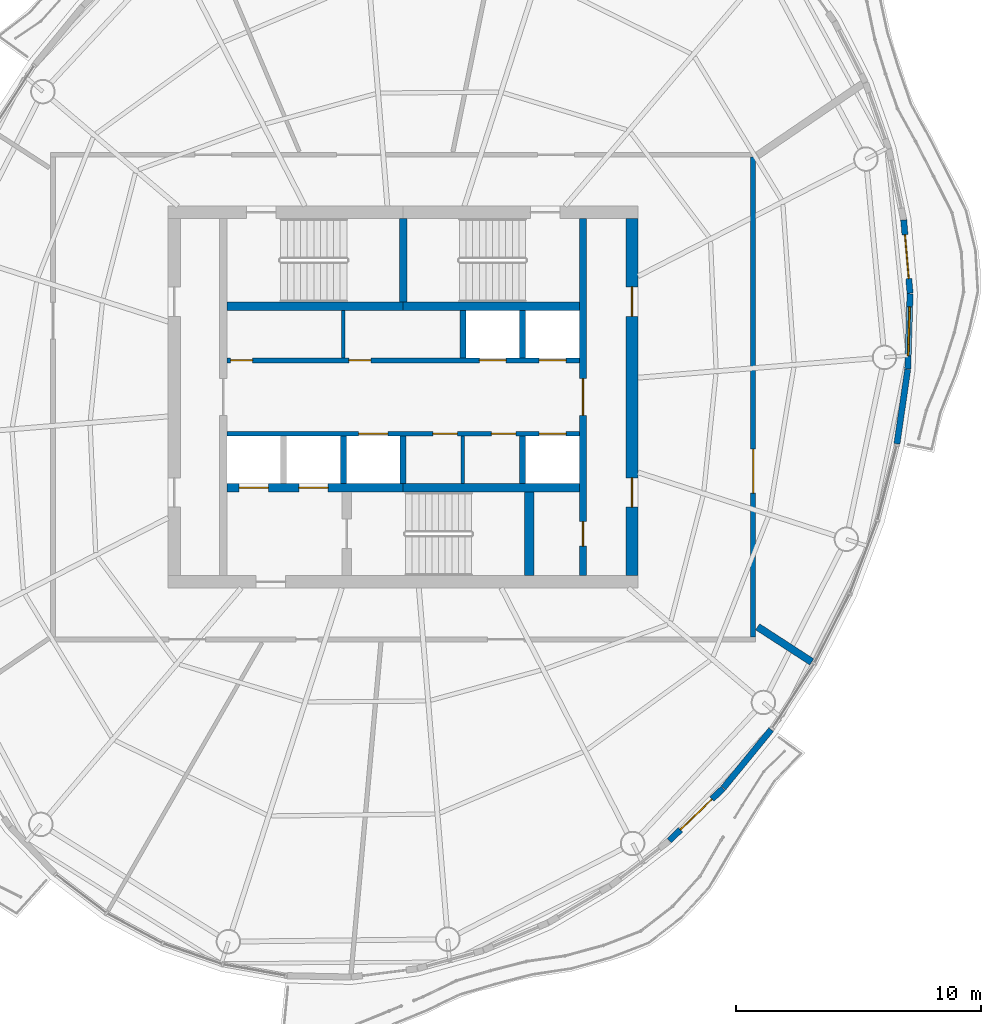
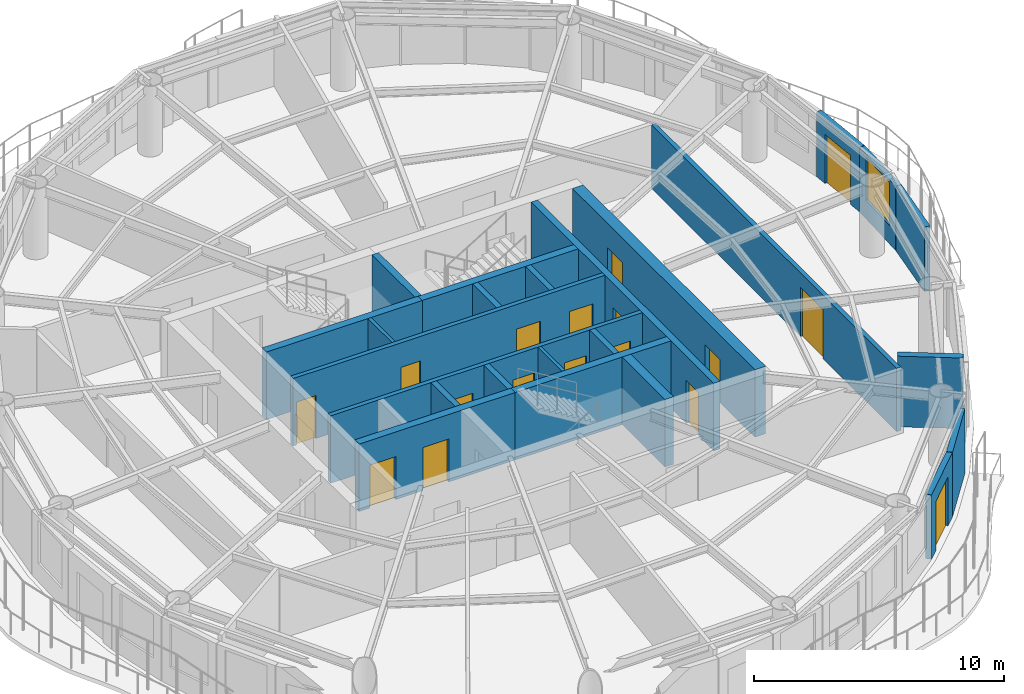
# One storey, part 8 of 13: 24 walls, 17 doors, 1 window, 18 openings.
"""IFC4 building model written with IfcOpenShell, lengths in metres."""

from ifc_helpers import new_model, si_unit, direction, frame, frame_2d, origin, place, context, subcontext, project, spatial, rectangle, extrude, material, layer, layer_set, type_object, element, fill, save


model = new_model("IFC4")

# Units and contexts
model_context = context("Model", 3, precision=1e-05, world=origin(), true_north=direction((0.0, 1.0)))
body_context = subcontext(model_context, "Body", "Model", "MODEL_VIEW")
ifc_project = project(units=[si_unit("LENGTHUNIT", "METRE"), si_unit("AREAUNIT", "SQUARE_METRE"), si_unit("VOLUMEUNIT", "CUBIC_METRE"), si_unit("PLANEANGLEUNIT", "RADIAN"), si_unit("MASSUNIT", "GRAM", prefix="KILO")], contexts=[model_context])

# Site, building, storey
site_placement = place(None, origin())
site = spatial("IfcSite", under=ifc_project, at=site_placement, CompositionType="ELEMENT")
building_placement = place(site_placement, origin())
building = spatial("IfcBuilding", under=site, at=building_placement, Name="Vermilion Reach Broadcast Tower", CompositionType="ELEMENT")
storey_placement = place(building_placement, frame((0.0, 0.0, 297.300048828125)))
storey = spatial("IfcBuildingStorey", under=building, at=storey_placement, Name="L74", CompositionType="ELEMENT", Elevation=297.300048828125)

# Wall, openings, doors
ifc_material_1 = material(Name="Concrete C50", Category="concrete")
ifc_layer_1 = layer(ifc_material_1, 0.300048828125)
ifc_layer_set_1 = layer_set([ifc_layer_1], Name="Core inner wall 300 mm Concrete C50")
wall_type_1 = type_object("IfcWallType", Name="Core inner wall 300 mm Concrete C50", PredefinedType="SHEAR", material=ifc_layer_set_1)
wall_1_placement = place(storey_placement, frame((1.35009765625, -7.300048828125, 0.0), z_axis=(0.0, 0.0, 1.0), x_axis=(0.0, 1.0, 0.0)))
wall_1 = element("IfcWall", 1, at=wall_1_placement, inside=storey, type_object=wall_type_1, Name="L74 core wall ewE", PredefinedType="SHEAR", context=body_context, shape_type="SweptSolid", body=[
    extrude(rectangle(XDim=14.60009765625, YDim=0.300048828125, at=frame_2d((7.300048828125, 0.0))), origin(), (0.0, 0.0, 1.0), 3.300048828125),
])
opening_1_placement = place(wall_1_placement, frame((1.2099609375, 0.0, 0.0)))
opening_1 = element("IfcOpeningElement", 2, at=opening_1_placement, cuts=wall_1, Name="Opening D05", PredefinedType="OPENING", context=body_context, shape_type="SweptSolid", body=[
    extrude(rectangle(XDim=1.0, YDim=2.10009765625, at=frame_2d((0.5, 1.050048828125))), frame((0.0, 0.159912109375, 0.0), z_axis=(0.0, -1.0, 0.0), x_axis=(1.0, 0.0, 0.0)), (0.0, 0.0, 1.0), 0.320068359375),
])
opening_2_placement = place(wall_1_placement, frame((6.550048828125, 0.0, 0.0)))
opening_2 = element("IfcOpeningElement", 3, at=opening_2_placement, cuts=wall_1, Name="Opening D04", PredefinedType="OPENING", context=body_context, shape_type="SweptSolid", body=[
    extrude(rectangle(XDim=1.5, YDim=2.10009765625, at=frame_2d((0.75, 1.050048828125))), frame((0.0, 0.159912109375, 0.0), z_axis=(0.0, -1.0, 0.0), x_axis=(1.0, 0.0, 0.0)), (0.0, 0.0, 1.0), 0.320068359375),
])
ifc_material_2 = material(Name="Painted steel fire door", Category="steel")
door_type_1 = type_object("IfcDoorType", Name="Lift lobby door 1500 x 2100", OperationType="DOUBLE_DOOR_SINGLE_SWING", PredefinedType="NOTDEFINED", material=ifc_material_2)
door_1_placement = place(opening_2_placement, origin())
door_1 = element("IfcDoor", 4, at=door_1_placement, inside=storey, type_object=door_type_1, Name="L74 band door BE", OperationType="DOUBLE_DOOR_SINGLE_SWING", OverallHeight=2.10009765625, OverallWidth=1.5, PredefinedType="NOTDEFINED", context=body_context, shape_type="SweptSolid", body=[
    extrude(rectangle(XDim=1.5, YDim=2.10009765625, at=frame_2d((0.75, 1.050048828125))), frame((0.0, 0.02490234375, 0.0), z_axis=(0.0, -1.0, 0.0), x_axis=(1.0, 0.0, 0.0)), (0.0, 0.0, 1.0), 0.050048828125),
])
fill(opening_2, door_1)
ifc_material_3 = material(Name="Timber door", Category="wood")
door_type_2 = type_object("IfcDoorType", Name="Room door 1000 x 2100", OperationType="NOTDEFINED", PredefinedType="NOTDEFINED", material=ifc_material_3)
door_2_placement = place(opening_1_placement, origin())
door_2 = element("IfcDoor", 5, at=door_2_placement, inside=storey, type_object=door_type_2, Name="L74 door SER", OperationType="SINGLE_SWING_LEFT", OverallHeight=2.10009765625, OverallWidth=1.0, PredefinedType="NOTDEFINED", context=body_context, shape_type="SweptSolid", body=[
    extrude(rectangle(XDim=1.0, YDim=2.10009765625, at=frame_2d((0.5, 1.050048828125))), frame((0.0, 0.02490234375, 0.0), z_axis=(0.0, -1.0, 0.0), x_axis=(1.0, 0.0, 0.0)), (0.0, 0.0, 1.0), 0.050048828125),
])
fill(opening_1, door_2)

# Walls
wall_2_placement = place(storey_placement, frame((-6.0, 3.8798828125, 0.0), z_axis=(0.0, 0.0, 1.0), x_axis=(0.0, 1.0, 0.0)))
element("IfcWall", 6, at=wall_2_placement, inside=storey, type_object=wall_type_1, Name="L74 core wall wc", PredefinedType="SHEAR", context=body_context, shape_type="SweptSolid", body=[
    extrude(rectangle(XDim=3.420166015625, YDim=0.300048828125, at=frame_2d((1.7099609375, 0.0))), origin(), (0.0, 0.0, 1.0), 3.300048828125),
])
ifc_material_4 = material(Name="Concrete C50", Category="concrete")
ifc_layer_2 = layer(ifc_material_4, 0.35009765625)
ifc_layer_set_2 = layer_set([ifc_layer_2], Name="Core inner wall 350 mm Concrete C50")
wall_type_2 = type_object("IfcWallType", Name="Core inner wall 350 mm Concrete C50", PredefinedType="SHEAR", material=ifc_layer_set_2)
for number, where, z_axis, x_axis, name in (
    (7, (-13.199951171875, 3.705078125, 0.0), (0.0, 0.0, 1.0), (1.0, 0.0, 0.0), "L74 core wall winW"),
    (8, (-6.0, 3.705078125, 0.0), (0.0, 0.0, 1.0), (1.0, 0.0, 0.0), "L74 core wall winE"),
):
    element("IfcWall", number, at=place(storey_placement, frame(where, z_axis=z_axis, x_axis=x_axis)), inside=storey, type_object=wall_type_2, Name=name, PredefinedType="SHEAR", context=body_context, shape_type="SweptSolid", body=[
        extrude(rectangle(XDim=7.199951171875, YDim=0.35009765625, at=frame_2d((3.60009765625, 0.0))), origin(), (0.0, 0.0, 1.0), 3.300048828125),
    ])

# Wall, openings, doors
wall_3_placement = place(storey_placement, frame((-13.199951171875, -3.705078125, 0.0), z_axis=(0.0, 0.0, 1.0), x_axis=(1.0, 0.0, 0.0)))
wall_3 = element("IfcWall", 9, at=wall_3_placement, inside=storey, type_object=wall_type_2, Name="L74 core wall wisW", PredefinedType="SHEAR", context=body_context, shape_type="SweptSolid", body=[
    extrude(rectangle(XDim=7.199951171875, YDim=0.35009765625, at=frame_2d((3.60009765625, 0.0))), origin(), (0.0, 0.0, 1.0), 3.300048828125),
])
opening_3_placement = place(wall_3_placement, frame((0.495849609375, 0.0, 0.0)))
opening_3 = element("IfcOpeningElement", 10, at=opening_3_placement, cuts=wall_3, Name="Opening LD1", PredefinedType="OPENING", context=body_context, shape_type="SweptSolid", body=[
    extrude(rectangle(XDim=1.199951171875, YDim=2.10009765625, at=frame_2d((0.60009765625, 1.050048828125))), frame((0.0, 0.18505859375, 0.0), z_axis=(0.0, -1.0, 0.0), x_axis=(1.0, 0.0, 0.0)), (0.0, 0.0, 1.0), 0.3701171875),
])
opening_4_placement = place(wall_3_placement, frame((2.9375, 0.0, 0.0)))
opening_4 = element("IfcOpeningElement", 11, at=opening_4_placement, cuts=wall_3, Name="Opening LD1", PredefinedType="OPENING", context=body_context, shape_type="SweptSolid", body=[
    extrude(rectangle(XDim=1.199951171875, YDim=2.10009765625, at=frame_2d((0.60009765625, 1.050048828125))), frame((0.0, 0.18505859375, 0.0), z_axis=(0.0, -1.0, 0.0), x_axis=(1.0, 0.0, 0.0)), (0.0, 0.0, 1.0), 0.3701171875),
])
ifc_material_5 = material(Name="Stainless steel", Category="steel")
door_type_3 = type_object("IfcDoorType", Name="Landing door 1200 x 2100", OperationType="DOUBLE_DOOR_SLIDING", PredefinedType="NOTDEFINED", material=ifc_material_5)
door_3_placement = place(opening_3_placement, origin())
door_3 = element("IfcDoor", 12, at=door_3_placement, inside=storey, type_object=door_type_3, Name="L74 landing door FF1", OperationType="DOUBLE_DOOR_SLIDING", OverallHeight=2.10009765625, OverallWidth=1.199951171875, PredefinedType="NOTDEFINED", context=body_context, shape_type="SweptSolid", body=[
    extrude(rectangle(XDim=1.199951171875, YDim=2.10009765625, at=frame_2d((0.60009765625, 1.050048828125))), frame((0.0, 0.02490234375, 0.0), z_axis=(0.0, -1.0, 0.0), x_axis=(1.0, 0.0, 0.0)), (0.0, 0.0, 1.0), 0.050048828125),
])
fill(opening_3, door_3)
door_4_placement = place(opening_4_placement, origin())
door_4 = element("IfcDoor", 13, at=door_4_placement, inside=storey, type_object=door_type_3, Name="L74 landing door FF2", OperationType="DOUBLE_DOOR_SLIDING", OverallHeight=2.10009765625, OverallWidth=1.199951171875, PredefinedType="NOTDEFINED", context=body_context, shape_type="SweptSolid", body=[
    extrude(rectangle(XDim=1.199951171875, YDim=2.10009765625, at=frame_2d((0.60009765625, 1.050048828125))), frame((0.0, 0.02490234375, 0.0), z_axis=(0.0, -1.0, 0.0), x_axis=(1.0, 0.0, 0.0)), (0.0, 0.0, 1.0), 0.050048828125),
])
fill(opening_4, door_4)

# Walls
wall_4_placement = place(storey_placement, frame((-6.0, -3.705078125, 0.0), z_axis=(0.0, 0.0, 1.0), x_axis=(1.0, 0.0, 0.0)))
element("IfcWall", 14, at=wall_4_placement, inside=storey, type_object=wall_type_2, Name="L74 core wall wisE", PredefinedType="SHEAR", context=body_context, shape_type="SweptSolid", body=[
    extrude(rectangle(XDim=7.199951171875, YDim=0.35009765625, at=frame_2d((3.60009765625, 0.0))), origin(), (0.0, 0.0, 1.0), 3.300048828125),
])
ifc_material_6 = material(Name="Concrete C50", Category="concrete")
ifc_layer_3 = layer(ifc_material_6, 0.39990234375)
ifc_layer_set_3 = layer_set([ifc_layer_3], Name="Core inner wall 400 mm Concrete C50")
wall_type_3 = type_object("IfcWallType", Name="Core inner wall 400 mm Concrete C50", PredefinedType="SHEAR", material=ifc_layer_set_3)
wall_5_placement = place(storey_placement, frame((-0.85009765625, -3.8798828125, 0.0), z_axis=(0.0, 0.0, 1.0), x_axis=(0.0, -1.0, 0.0)))
element("IfcWall", 15, at=wall_5_placement, inside=storey, type_object=wall_type_3, Name="L74 core wall wb", PredefinedType="SHEAR", context=body_context, shape_type="SweptSolid", body=[
    extrude(rectangle(XDim=3.420166015625, YDim=0.39990234375, at=frame_2d((1.7099609375, 0.0))), origin(), (0.0, 0.0, 1.0), 3.300048828125),
])

# Wall, openings, doors
ifc_material_7 = material(Name="Concrete C50", Category="concrete")
ifc_layer_4 = layer(ifc_material_7, 0.5)
ifc_layer_set_4 = layer_set([ifc_layer_4], Name="Core outer wall 500 mm Concrete C50")
wall_type_4 = type_object("IfcWallType", Name="Core outer wall 500 mm Concrete C50", PredefinedType="SHEAR", material=ifc_layer_set_4)
wall_6_placement = place(storey_placement, frame((3.35009765625, -7.300048828125, 0.0), z_axis=(0.0, 0.0, 1.0), x_axis=(0.0, 1.0, 0.0)))
wall_6 = element("IfcWall", 16, at=wall_6_placement, inside=storey, type_object=wall_type_4, Name="L74 core wall oe", PredefinedType="SHEAR", context=body_context, shape_type="SweptSolid", body=[
    extrude(rectangle(XDim=14.60009765625, YDim=0.5, at=frame_2d((7.300048828125, 0.0))), origin(), (0.0, 0.0, 1.0), 3.300048828125),
])
opening_5_placement = place(wall_6_placement, frame((2.800048828125, 0.0, 0.0)))
opening_5 = element("IfcOpeningElement", 17, at=opening_5_placement, cuts=wall_6, Name="Opening D03", PredefinedType="OPENING", context=body_context, shape_type="SweptSolid", body=[
    extrude(rectangle(XDim=1.199951171875, YDim=2.10009765625, at=frame_2d((0.60009765625, 1.050048828125))), frame((0.0, 0.260009765625, 0.0), z_axis=(0.0, -1.0, 0.0), x_axis=(1.0, 0.0, 0.0)), (0.0, 0.0, 1.0), 0.52001953125),
])
opening_6_placement = place(wall_6_placement, frame((10.60009765625, 0.0, 0.0)))
opening_6 = element("IfcOpeningElement", 18, at=opening_6_placement, cuts=wall_6, Name="Opening D03", PredefinedType="OPENING", context=body_context, shape_type="SweptSolid", body=[
    extrude(rectangle(XDim=1.199951171875, YDim=2.10009765625, at=frame_2d((0.60009765625, 1.050048828125))), frame((0.0, 0.260009765625, 0.0), z_axis=(0.0, -1.0, 0.0), x_axis=(1.0, 0.0, 0.0)), (0.0, 0.0, 1.0), 0.52001953125),
])
ifc_material_8 = material(Name="Painted steel fire door", Category="steel")
door_type_4 = type_object("IfcDoorType", Name="Core lobby door 1200 x 2100", OperationType="DOUBLE_DOOR_SINGLE_SWING", PredefinedType="NOTDEFINED", material=ifc_material_8)
door_5_placement = place(opening_5_placement, origin())
door_5 = element("IfcDoor", 19, at=door_5_placement, inside=storey, type_object=door_type_4, Name="L74 slot door E0", OperationType="DOUBLE_DOOR_SINGLE_SWING", OverallHeight=2.10009765625, OverallWidth=1.199951171875, PredefinedType="NOTDEFINED", context=body_context, shape_type="SweptSolid", body=[
    extrude(rectangle(XDim=1.199951171875, YDim=2.10009765625, at=frame_2d((0.60009765625, 1.050048828125))), frame((0.0, 0.02490234375, 0.0), z_axis=(0.0, -1.0, 0.0), x_axis=(1.0, 0.0, 0.0)), (0.0, 0.0, 1.0), 0.050048828125),
])
fill(opening_5, door_5)
door_6_placement = place(opening_6_placement, origin())
door_6 = element("IfcDoor", 20, at=door_6_placement, inside=storey, type_object=door_type_4, Name="L74 slot door E1", OperationType="DOUBLE_DOOR_SINGLE_SWING", OverallHeight=2.10009765625, OverallWidth=1.199951171875, PredefinedType="NOTDEFINED", context=body_context, shape_type="SweptSolid", body=[
    extrude(rectangle(XDim=1.199951171875, YDim=2.10009765625, at=frame_2d((0.60009765625, 1.050048828125))), frame((0.0, 0.02490234375, 0.0), z_axis=(0.0, -1.0, 0.0), x_axis=(1.0, 0.0, 0.0)), (0.0, 0.0, 1.0), 0.050048828125),
])
fill(opening_6, door_6)

# Walls
ifc_material_9 = material(Name="Masonry block", Category="masonry")
ifc_layer_5 = layer(ifc_material_9, 0.14990234375)
ifc_layer_set_5 = layer_set([ifc_layer_5], Name="Core partition wall 150 mm Masonry block")
wall_type_5 = type_object("IfcWallType", Name="Core partition wall 150 mm Masonry block", PredefinedType="PARTITIONING", material=ifc_layer_set_5)
for number, where, z_axis, x_axis, name in (
    (21, (-8.441650390625, 1.60009765625, 0.0), (0.0, 0.0, 1.0), (0.0, 1.0, 0.0), "L74 core wall prN-2442"),
    (22, (-3.558349609375, -1.60009765625, 0.0), (0.0, 0.0, 1.0), (0.0, -1.0, 0.0), "L74 core wall prS2442"),
):
    element("IfcWall", number, at=place(storey_placement, frame(where, z_axis=z_axis, x_axis=x_axis)), inside=storey, type_object=wall_type_5, Name=name, PredefinedType="PARTITIONING", context=body_context, shape_type="SweptSolid", body=[
        extrude(rectangle(XDim=1.929931640625, YDim=0.14990234375, at=frame_2d((0.96484375, 0.0))), origin(), (0.0, 0.0, 1.0), 3.300048828125),
    ])

# Wall, openings, doors
ifc_material_10 = material(Name="Concrete C50", Category="concrete")
ifc_layer_6 = layer(ifc_material_10, 0.199951171875)
ifc_layer_set_6 = layer_set([ifc_layer_6], Name="Core shaft wall 200 mm Concrete C50")
wall_type_6 = type_object("IfcWallType", Name="Core shaft wall 200 mm Concrete C50", PredefinedType="SHEAR", material=ifc_layer_set_6)
wall_7_placement = place(storey_placement, frame((-13.199951171875, 1.5, 0.0), z_axis=(0.0, 0.0, 1.0), x_axis=(1.0, 0.0, 0.0)))
wall_7 = element("IfcWall", 23, at=wall_7_placement, inside=storey, type_object=wall_type_6, Name="L74 core wall fn", PredefinedType="SHEAR", context=body_context, shape_type="SweptSolid", body=[
    extrude(rectangle(XDim=14.39990234375, YDim=0.199951171875, at=frame_2d((7.199951171875, 0.0))), origin(), (0.0, 0.0, 1.0), 3.300048828125),
])
opening_7_placement = place(wall_7_placement, frame((10.3125, 0.0, 0.0)))
opening_7 = element("IfcOpeningElement", 24, at=opening_7_placement, cuts=wall_7, Name="Opening LD2", PredefinedType="OPENING", context=body_context, shape_type="SweptSolid", body=[
    extrude(rectangle(XDim=1.10009765625, YDim=2.10009765625, at=frame_2d((0.550048828125, 1.050048828125))), frame((0.0, 0.10986328125, 0.0), z_axis=(0.0, -1.0, 0.0), x_axis=(1.0, 0.0, 0.0)), (0.0, 0.0, 1.0), 0.219970703125),
])
opening_8_placement = place(wall_7_placement, frame((12.754150390625, 0.0, 0.0)))
opening_8 = element("IfcOpeningElement", 25, at=opening_8_placement, cuts=wall_7, Name="Opening LD2", PredefinedType="OPENING", context=body_context, shape_type="SweptSolid", body=[
    extrude(rectangle(XDim=1.10009765625, YDim=2.10009765625, at=frame_2d((0.550048828125, 1.050048828125))), frame((0.0, 0.10986328125, 0.0), z_axis=(0.0, -1.0, 0.0), x_axis=(1.0, 0.0, 0.0)), (0.0, 0.0, 1.0), 0.219970703125),
])
opening_9_placement = place(wall_7_placement, frame((0.14990234375, 0.0, 0.0)))
opening_9 = element("IfcOpeningElement", 26, at=opening_9_placement, cuts=wall_7, Name="Opening D06", PredefinedType="OPENING", context=body_context, shape_type="SweptSolid", body=[
    extrude(rectangle(XDim=0.89990234375, YDim=2.10009765625, at=frame_2d((0.449951171875, 1.050048828125))), frame((0.0, 0.10986328125, 0.0), z_axis=(0.0, -1.0, 0.0), x_axis=(1.0, 0.0, 0.0)), (0.0, 0.0, 1.0), 0.219970703125),
])
opening_10_placement = place(wall_7_placement, frame((4.9833984375, 0.0, 0.0)))
opening_10 = element("IfcOpeningElement", 27, at=opening_10_placement, cuts=wall_7, Name="Opening D06", PredefinedType="OPENING", context=body_context, shape_type="SweptSolid", body=[
    extrude(rectangle(XDim=0.89990234375, YDim=2.10009765625, at=frame_2d((0.449951171875, 1.050048828125))), frame((0.0, 0.10986328125, 0.0), z_axis=(0.0, -1.0, 0.0), x_axis=(1.0, 0.0, 0.0)), (0.0, 0.0, 1.0), 0.219970703125),
])
ifc_material_11 = material(Name="Stainless steel", Category="steel")
door_type_5 = type_object("IfcDoorType", Name="Landing door 1100 x 2100", OperationType="DOUBLE_DOOR_SLIDING", PredefinedType="NOTDEFINED", material=ifc_material_11)
door_7_placement = place(opening_7_placement, origin())
door_7 = element("IfcDoor", 28, at=door_7_placement, inside=storey, type_object=door_type_5, Name="L74 landing door HR1", OperationType="DOUBLE_DOOR_SLIDING", OverallHeight=2.10009765625, OverallWidth=1.10009765625, PredefinedType="NOTDEFINED", context=body_context, shape_type="SweptSolid", body=[
    extrude(rectangle(XDim=1.10009765625, YDim=2.10009765625, at=frame_2d((0.550048828125, 1.050048828125))), frame((0.0, 0.02490234375, 0.0), z_axis=(0.0, -1.0, 0.0), x_axis=(1.0, 0.0, 0.0)), (0.0, 0.0, 1.0), 0.050048828125),
])
fill(opening_7, door_7)
door_8_placement = place(opening_8_placement, origin())
door_8 = element("IfcDoor", 29, at=door_8_placement, inside=storey, type_object=door_type_5, Name="L74 landing door HR2", OperationType="DOUBLE_DOOR_SLIDING", OverallHeight=2.10009765625, OverallWidth=1.10009765625, PredefinedType="NOTDEFINED", context=body_context, shape_type="SweptSolid", body=[
    extrude(rectangle(XDim=1.10009765625, YDim=2.10009765625, at=frame_2d((0.550048828125, 1.050048828125))), frame((0.0, 0.02490234375, 0.0), z_axis=(0.0, -1.0, 0.0), x_axis=(1.0, 0.0, 0.0)), (0.0, 0.0, 1.0), 0.050048828125),
])
fill(opening_8, door_8)
ifc_material_12 = material(Name="Timber door", Category="wood")
door_type_6 = type_object("IfcDoorType", Name="WC door 900 x 2100", OperationType="NOTDEFINED", PredefinedType="NOTDEFINED", material=ifc_material_12)
door_9_placement = place(opening_9_placement, origin())
door_9 = element("IfcDoor", 30, at=door_9_placement, inside=storey, type_object=door_type_6, Name="L74 door Female WC", OperationType="SINGLE_SWING_LEFT", OverallHeight=2.10009765625, OverallWidth=0.89990234375, PredefinedType="NOTDEFINED", context=body_context, shape_type="SweptSolid", body=[
    extrude(rectangle(XDim=0.89990234375, YDim=2.10009765625, at=frame_2d((0.449951171875, 1.050048828125))), frame((0.0, 0.02490234375, 0.0), z_axis=(0.0, -1.0, 0.0), x_axis=(1.0, 0.0, 0.0)), (0.0, 0.0, 1.0), 0.050048828125),
])
fill(opening_9, door_9)
door_10_placement = place(opening_10_placement, origin())
door_10 = element("IfcDoor", 31, at=door_10_placement, inside=storey, type_object=door_type_6, Name="L74 door Male WC", OperationType="SINGLE_SWING_LEFT", OverallHeight=2.10009765625, OverallWidth=0.89990234375, PredefinedType="NOTDEFINED", context=body_context, shape_type="SweptSolid", body=[
    extrude(rectangle(XDim=0.89990234375, YDim=2.10009765625, at=frame_2d((0.449951171875, 1.050048828125))), frame((0.0, 0.02490234375, 0.0), z_axis=(0.0, -1.0, 0.0), x_axis=(1.0, 0.0, 0.0)), (0.0, 0.0, 1.0), 0.050048828125),
])
fill(opening_10, door_10)

wall_8_placement = place(storey_placement, frame((1.199951171875, -1.5, 0.0), z_axis=(0.0, 0.0, 1.0), x_axis=(-1.0, 0.0, 0.0)))
wall_8 = element("IfcWall", 32, at=wall_8_placement, inside=storey, type_object=wall_type_6, Name="L74 core wall fs", PredefinedType="SHEAR", context=body_context, shape_type="SweptSolid", body=[
    extrude(rectangle(XDim=14.39990234375, YDim=0.199951171875, at=frame_2d((7.199951171875, 0.0))), origin(), (0.0, 0.0, 1.0), 3.300048828125),
])
opening_11_placement = place(wall_8_placement, frame((7.82080078125, 0.0, 0.0)))
opening_11 = element("IfcOpeningElement", 33, at=opening_11_placement, cuts=wall_8, Name="Opening LD1", PredefinedType="OPENING", context=body_context, shape_type="SweptSolid", body=[
    extrude(rectangle(XDim=1.199951171875, YDim=2.10009765625, at=frame_2d((0.60009765625, 1.050048828125))), frame((0.0, 0.10986328125, 0.0), z_axis=(0.0, -1.0, 0.0), x_axis=(1.0, 0.0, 0.0)), (0.0, 0.0, 1.0), 0.219970703125),
])
opening_12_placement = place(wall_8_placement, frame((0.5458984375, 0.0, 0.0)))
opening_12 = element("IfcOpeningElement", 34, at=opening_12_placement, cuts=wall_8, Name="Opening LD2", PredefinedType="OPENING", context=body_context, shape_type="SweptSolid", body=[
    extrude(rectangle(XDim=1.10009765625, YDim=2.10009765625, at=frame_2d((0.550048828125, 1.050048828125))), frame((0.0, 0.10986328125, 0.0), z_axis=(0.0, -1.0, 0.0), x_axis=(1.0, 0.0, 0.0)), (0.0, 0.0, 1.0), 0.219970703125),
])
opening_13_placement = place(wall_8_placement, frame((4.9833984375, 0.0, 0.0)))
opening_13 = element("IfcOpeningElement", 35, at=opening_13_placement, cuts=wall_8, Name="Opening D07", PredefinedType="OPENING", context=body_context, shape_type="SweptSolid", body=[
    extrude(rectangle(XDim=1.0, YDim=2.10009765625, at=frame_2d((0.5, 1.050048828125))), frame((0.0, 0.10986328125, 0.0), z_axis=(0.0, -1.0, 0.0), x_axis=(1.0, 0.0, 0.0)), (0.0, 0.0, 1.0), 0.219970703125),
])
opening_14_placement = place(wall_8_placement, frame((2.591552734375, 0.0, 0.0)))
opening_14 = element("IfcOpeningElement", 36, at=opening_14_placement, cuts=wall_8, Name="Opening D10", PredefinedType="OPENING", context=body_context, shape_type="SweptSolid", body=[
    extrude(rectangle(XDim=1.0, YDim=2.10009765625, at=frame_2d((0.5, 1.050048828125))), frame((0.0, 0.10986328125, 0.0), z_axis=(0.0, -1.0, 0.0), x_axis=(1.0, 0.0, 0.0)), (0.0, 0.0, 1.0), 0.219970703125),
])
ifc_material_13 = material(Name="Timber door", Category="wood")
door_type_7 = type_object("IfcDoorType", Name="Accessible WC door 1000 x 2100", OperationType="NOTDEFINED", PredefinedType="NOTDEFINED", material=ifc_material_13)
door_11_placement = place(opening_13_placement, origin())
door_11 = element("IfcDoor", 37, at=door_11_placement, inside=storey, type_object=door_type_7, Name="L74 door Accessible WC", OperationType="SINGLE_SWING_LEFT", OverallHeight=2.10009765625, OverallWidth=1.0, PredefinedType="NOTDEFINED", context=body_context, shape_type="SweptSolid", body=[
    extrude(rectangle(XDim=1.0, YDim=2.10009765625, at=frame_2d((0.5, 1.050048828125))), frame((0.0, 0.02490234375, 0.0), z_axis=(0.0, -1.0, 0.0), x_axis=(1.0, 0.0, 0.0)), (0.0, 0.0, 1.0), 0.050048828125),
])
fill(opening_13, door_11)
door_12_placement = place(opening_12_placement, origin())
door_12 = element("IfcDoor", 38, at=door_12_placement, inside=storey, type_object=door_type_5, Name="L74 landing door HR3", OperationType="DOUBLE_DOOR_SLIDING", OverallHeight=2.10009765625, OverallWidth=1.10009765625, PredefinedType="NOTDEFINED", context=body_context, shape_type="SweptSolid", body=[
    extrude(rectangle(XDim=1.10009765625, YDim=2.10009765625, at=frame_2d((0.550048828125, 1.050048828125))), frame((0.0, 0.02490234375, 0.0), z_axis=(0.0, -1.0, 0.0), x_axis=(1.0, 0.0, 0.0)), (0.0, 0.0, 1.0), 0.050048828125),
])
fill(opening_12, door_12)
door_13_placement = place(opening_11_placement, origin())
door_13 = element("IfcDoor", 39, at=door_13_placement, inside=storey, type_object=door_type_3, Name="L74 landing door SV1", OperationType="DOUBLE_DOOR_SLIDING", OverallHeight=2.10009765625, OverallWidth=1.199951171875, PredefinedType="NOTDEFINED", context=body_context, shape_type="SweptSolid", body=[
    extrude(rectangle(XDim=1.199951171875, YDim=2.10009765625, at=frame_2d((0.60009765625, 1.050048828125))), frame((0.0, 0.02490234375, 0.0), z_axis=(0.0, -1.0, 0.0), x_axis=(1.0, 0.0, 0.0)), (0.0, 0.0, 1.0), 0.050048828125),
])
fill(opening_11, door_13)
ifc_material_14 = material(Name="Timber door", Category="wood")
door_type_8 = type_object("IfcDoorType", Name="WC lobby door 1000 x 2100", OperationType="NOTDEFINED", PredefinedType="NOTDEFINED", material=ifc_material_14)
door_14_placement = place(opening_14_placement, origin())
door_14 = element("IfcDoor", 40, at=door_14_placement, inside=storey, type_object=door_type_8, Name="L74 door WC lobby", OperationType="SINGLE_SWING_LEFT", OverallHeight=2.10009765625, OverallWidth=1.0, PredefinedType="NOTDEFINED", context=body_context, shape_type="SweptSolid", body=[
    extrude(rectangle(XDim=1.0, YDim=2.10009765625, at=frame_2d((0.5, 1.050048828125))), frame((0.0, 0.02490234375, 0.0), z_axis=(0.0, -1.0, 0.0), x_axis=(1.0, 0.0, 0.0)), (0.0, 0.0, 1.0), 0.050048828125),
])
fill(opening_14, door_14)

# Walls
ifc_material_15 = material(Name="Concrete C50", Category="concrete")
ifc_layer_7 = layer(ifc_material_15, 0.25)
ifc_layer_set_7 = layer_set([ifc_layer_7], Name="Core shaft wall 250 mm Concrete C50")
wall_type_7 = type_object("IfcWallType", Name="Core shaft wall 250 mm Concrete C50", PredefinedType="SHEAR", material=ifc_layer_set_7)
for number, where, z_axis, x_axis, name in (
    (41, (-3.558349609375, 1.60009765625, 0.0), (0.0, 0.0, 1.0), (0.0, 1.0, 0.0), "L74 core wall psN3"),
    (42, (-1.11669921875, 1.60009765625, 0.0), (0.0, 0.0, 1.0), (0.0, 1.0, 0.0), "L74 core wall psN4"),
    (43, (-8.441650390625, -1.60009765625, 0.0), (0.0, 0.0, 1.0), (0.0, -1.0, 0.0), "L74 core wall psS1"),
    (44, (-6.0, -1.60009765625, 0.0), (0.0, 0.0, 1.0), (0.0, -1.0, 0.0), "L74 core wall psS2"),
    (45, (-1.11669921875, -1.60009765625, 0.0), (0.0, 0.0, 1.0), (0.0, -1.0, 0.0), "L74 core wall psS4"),
):
    element("IfcWall", number, at=place(storey_placement, frame(where, z_axis=z_axis, x_axis=x_axis)), inside=storey, type_object=wall_type_7, Name=name, PredefinedType="SHEAR", context=body_context, shape_type="SweptSolid", body=[
        extrude(rectangle(XDim=1.929931640625, YDim=0.25, at=frame_2d((0.96484375, 0.0))), origin(), (0.0, 0.0, 1.0), 3.300048828125),
    ])
ifc_material_16 = material(Name="Double-leaf plasterboard on isolated steel stud", Category="steel")
ifc_layer_8 = layer(ifc_material_16, 0.300048828125)
ifc_layer_set_8 = layer_set([ifc_layer_8], Name="Partition 300 acoustic double leaf")
wall_type_8 = type_object("IfcWallType", Name="Partition 300 acoustic double leaf", PredefinedType="PARTITIONING", material=ifc_layer_set_8)
wall_9_placement = place(storey_placement, frame((10.69091796875, -10.818603515625, 0.0), z_axis=(0.0, 0.0, 1.0), x_axis=(-0.839156905536, 0.543889407776, 0.0)))
element("IfcWall", 46, at=wall_9_placement, inside=storey, type_object=wall_type_8, Name="Partition 74.07", PredefinedType="PARTITIONING", context=body_context, shape_type="SweptSolid", body=[
    extrude(rectangle(XDim=2.632568359375, YDim=0.300048828125, at=frame_2d((1.31640625, 0.0))), origin(), (0.0, 0.0, 1.0), 3.449951171875),
])

# Wall, opening, door
ifc_material_17 = material(Name="Terracotta rainscreen cladding", Category="masonry")
ifc_layer_9 = layer(ifc_material_17, 0.25)
ifc_layer_set_9 = layer_set([ifc_layer_9], Name="Terracotta rainscreen wall 250")
wall_type_9 = type_object("IfcWallType", Name="Terracotta rainscreen wall 250", PredefinedType="SOLIDWALL", material=ifc_layer_set_9)
wall_10_placement = place(storey_placement, frame((4.873291015625, -18.122314453125, 0.0), z_axis=(0.0, 0.0, 1.0), x_axis=(0.716476423042, 0.697611306692, 0.0)))
wall_10 = element("IfcWall", 47, at=wall_10_placement, inside=storey, type_object=wall_type_9, Name="External wall L74 32", PredefinedType="SOLIDWALL", context=body_context, shape_type="SweptSolid", body=[
    extrude(rectangle(XDim=3.067138671875, YDim=0.25, at=frame_2d((1.53369140625, 0.0))), origin(), (0.0, 0.0, 1.0), 3.14990234375),
])
opening_15_placement = place(wall_10_placement, frame((0.634033203125, 0.0, 0.0)))
opening_15 = element("IfcOpeningElement", 48, at=opening_15_placement, cuts=wall_10, Name="Opening D70", PredefinedType="OPENING", context=body_context, shape_type="SweptSolid", body=[
    extrude(rectangle(XDim=1.800048828125, YDim=2.39990234375, at=frame_2d((0.89990234375, 1.199951171875))), frame((0.0, 0.135009765625, 0.0), z_axis=(0.0, -1.0, 0.0), x_axis=(1.0, 0.0, 0.0)), (0.0, 0.0, 1.0), 0.27001953125),
])
ifc_material_18 = material(Name="Low-e laminated clear glass in aluminium frame", Category="aluminium")
door_type_9 = type_object("IfcDoorType", Name="Balcony sliding door 1800 x 2400", OperationType="DOUBLE_DOOR_SLIDING", PredefinedType="DOOR", material=ifc_material_18)
door_15_placement = place(opening_15_placement, origin())
door_15 = element("IfcDoor", 49, at=door_15_placement, inside=storey, type_object=door_type_9, Name="Balcony door L74 run 08", OperationType="DOUBLE_DOOR_SLIDING", OverallHeight=2.39990234375, OverallWidth=1.800048828125, PredefinedType="DOOR", context=body_context, shape_type="SweptSolid", body=[
    extrude(rectangle(XDim=1.800048828125, YDim=2.39990234375, at=frame_2d((0.89990234375, 1.199951171875))), frame((0.0, 0.02490234375, 0.0), z_axis=(0.0, -1.0, 0.0), x_axis=(1.0, 0.0, 0.0)), (0.0, 0.0, 1.0), 0.050048828125),
])
fill(opening_15, door_15)

# Walls
for number, where, z_axis, x_axis, name in (
    (50, (7.085693359375, -15.96630859375, 0.0), (0.0, 0.0, 1.0), (0.63346692687, 0.773769767154, 0.0), "External wall L74 33"),
    (51, (14.17333984375, -1.91162109375, 0.0), (0.0, 0.0, 1.0), (0.142921873415, 0.989733973399, 0.0), "External wall L74 38"),
):
    element("IfcWall", number, at=place(storey_placement, frame(where, z_axis=z_axis, x_axis=x_axis)), inside=storey, type_object=wall_type_9, Name=name, PredefinedType="SOLIDWALL", context=body_context, shape_type="SweptSolid", body=[
        extrude(rectangle(XDim=3.07470703125, YDim=0.25, at=frame_2d((1.537353515625, 0.0))), origin(), (0.0, 0.0, 1.0), 3.14990234375),
    ])

# Wall, opening, window
wall_11_placement = place(storey_placement, frame((14.614501953125, 1.153564453125, 0.0), z_axis=(0.0, 0.0, 1.0), x_axis=(0.030643350627, 0.999530382261, 0.0)))
wall_11 = element("IfcWall", 52, at=wall_11_placement, inside=storey, type_object=wall_type_9, Name="External wall L74 39", PredefinedType="SOLIDWALL", context=body_context, shape_type="SweptSolid", body=[
    extrude(rectangle(XDim=3.0673828125, YDim=0.25, at=frame_2d((1.53369140625, 0.0))), origin(), (0.0, 0.0, 1.0), 3.14990234375),
])
opening_16_placement = place(wall_11_placement, frame((0.53369140625, 0.0, 0.89990234375)))
opening_16 = element("IfcOpeningElement", 53, at=opening_16_placement, cuts=wall_11, Name="Opening W03", PredefinedType="OPENING", context=body_context, shape_type="SweptSolid", body=[
    extrude(rectangle(XDim=2.0, YDim=2.10009765625, at=frame_2d((1.0, 1.050048828125))), frame((0.0, 0.135009765625, 0.0), z_axis=(0.0, -1.0, 0.0), x_axis=(1.0, 0.0, 0.0)), (0.0, 0.0, 1.0), 0.27001953125),
])
ifc_material_19 = material(Name="Low-e laminated clear glass in aluminium frame", Category="aluminium")
window_type = type_object("IfcWindowType", Name="Punched window 2000 x 2100 sill 900", PartitioningType="SINGLE_PANEL", PredefinedType="WINDOW", material=ifc_material_19)
window_placement = place(opening_16_placement, origin())
window = element("IfcWindow", 54, at=window_placement, inside=storey, type_object=window_type, Name="Window L74 39", OverallHeight=2.10009765625, OverallWidth=2.0, PartitioningType="SINGLE_PANEL", PredefinedType="WINDOW", context=body_context, shape_type="SweptSolid", body=[
    extrude(rectangle(XDim=2.0, YDim=2.10009765625, at=frame_2d((1.0, 1.050048828125))), frame((0.0, 0.030029296875, 0.0), z_axis=(0.0, -1.0, 0.0), x_axis=(1.0, 0.0, 0.0)), (0.0, 0.0, 1.0), 0.06005859375),
])
fill(opening_16, window)

# Wall, opening, door
wall_12_placement = place(storey_placement, frame((14.7080078125, 4.241943359375, 0.0), z_axis=(0.0, 0.0, 1.0), x_axis=(-0.086187518859, 0.996278932625, 0.0)))
wall_12 = element("IfcWall", 55, at=wall_12_placement, inside=storey, type_object=wall_type_9, Name="External wall L74 40", PredefinedType="SOLIDWALL", context=body_context, shape_type="SweptSolid", body=[
    extrude(rectangle(XDim=3.002685546875, YDim=0.25, at=frame_2d((1.50146484375, 0.0))), origin(), (0.0, 0.0, 1.0), 3.14990234375),
])
opening_17_placement = place(wall_12_placement, frame((0.60107421875, 0.0, 0.0)))
opening_17 = element("IfcOpeningElement", 56, at=opening_17_placement, cuts=wall_12, Name="Opening D70", PredefinedType="OPENING", context=body_context, shape_type="SweptSolid", body=[
    extrude(rectangle(XDim=1.800048828125, YDim=2.39990234375, at=frame_2d((0.89990234375, 1.199951171875))), frame((0.0, 0.135009765625, 0.0), z_axis=(0.0, -1.0, 0.0), x_axis=(1.0, 0.0, 0.0)), (0.0, 0.0, 1.0), 0.27001953125),
])
door_16_placement = place(opening_17_placement, origin())
door_16 = element("IfcDoor", 57, at=door_16_placement, inside=storey, type_object=door_type_9, Name="Balcony door L74 run 10", OperationType="DOUBLE_DOOR_SLIDING", OverallHeight=2.39990234375, OverallWidth=1.800048828125, PredefinedType="DOOR", context=body_context, shape_type="SweptSolid", body=[
    extrude(rectangle(XDim=1.800048828125, YDim=2.39990234375, at=frame_2d((0.89990234375, 1.199951171875))), frame((0.0, 0.02490234375, 0.0), z_axis=(0.0, -1.0, 0.0), x_axis=(1.0, 0.0, 0.0)), (0.0, 0.0, 1.0), 0.050048828125),
])
fill(opening_17, door_16)

ifc_material_20 = material(Name="Fire-rated gypsum board partition")
ifc_layer_10 = layer(ifc_material_20, 0.199951171875)
ifc_layer_set_10 = layer_set([ifc_layer_10], Name="Under girder: Corridor wall 200 fire-rated")
wall_type_10 = type_object("IfcWallType", Name="Under girder: Corridor wall 200 fire-rated", PredefinedType="PARTITIONING", material=ifc_layer_set_10)
wall_13_placement = place(storey_placement, frame((8.300048828125, 9.800048828125, 0.0), z_axis=(0.0, 0.0, 1.0), x_axis=(0.0, -1.0, 0.0)))
wall_13 = element("IfcWall", 58, at=wall_13_placement, inside=storey, type_object=wall_type_10, Name="Corridor wall 74.E", PredefinedType="PARTITIONING", context=body_context, shape_type="SweptSolid", body=[
    extrude(rectangle(XDim=19.60009765625, YDim=0.199951171875, at=frame_2d((9.800048828125, 0.0))), origin(), (0.0, 0.0, 1.0), 3.099853515625),
])
opening_18_placement = place(wall_13_placement, frame((11.9287109375, 0.0, 0.0)))
opening_18 = element("IfcOpeningElement", 59, at=opening_18_placement, cuts=wall_13, Name="Opening D27", PredefinedType="OPENING", context=body_context, shape_type="SweptSolid", body=[
    extrude(rectangle(XDim=1.800048828125, YDim=2.39990234375, at=frame_2d((0.89990234375, 1.199951171875))), frame((0.0, 0.10986328125, 0.0), z_axis=(0.0, -1.0, 0.0), x_axis=(1.0, 0.0, 0.0)), (0.0, 0.0, 1.0), 0.219970703125),
])
ifc_material_21 = material(Name="Acoustic timber door leaf", Category="wood")
door_type_10 = type_object("IfcDoorType", Name="Door pair 1800x2400", OperationType="NOTDEFINED", PredefinedType="DOOR", material=ifc_material_21)
door_17_placement = place(opening_18_placement, origin())
door_17 = element("IfcDoor", 60, at=door_17_placement, inside=storey, type_object=door_type_10, Name="Door 74.07", OperationType="DOUBLE_DOOR_SINGLE_SWING", OverallHeight=2.39990234375, OverallWidth=1.800048828125, PredefinedType="DOOR", context=body_context, shape_type="SweptSolid", body=[
    extrude(rectangle(XDim=1.800048828125, YDim=2.39990234375, at=frame_2d((0.89990234375, 1.199951171875))), frame((0.0, 0.02490234375, 0.0), z_axis=(0.0, -1.0, 0.0), x_axis=(1.0, 0.0, 0.0)), (0.0, 0.0, 1.0), 0.050048828125),
])
fill(opening_18, door_17)

save(model, "model.ifc")
